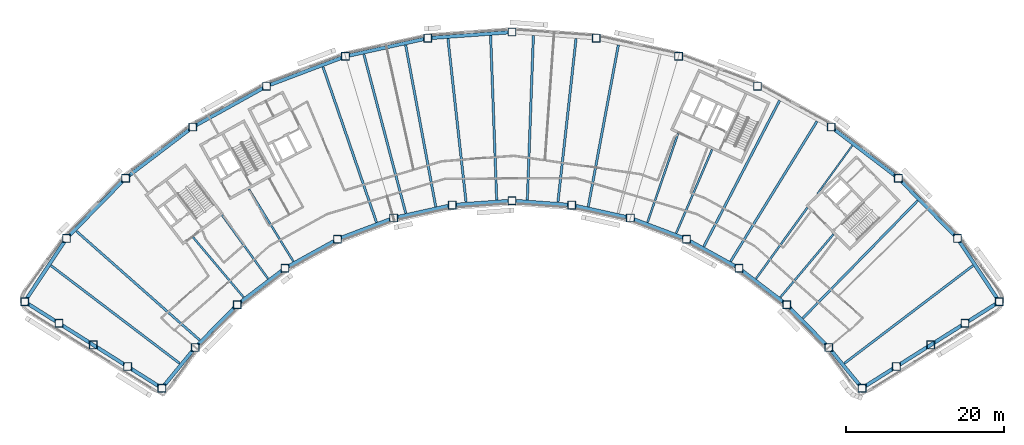
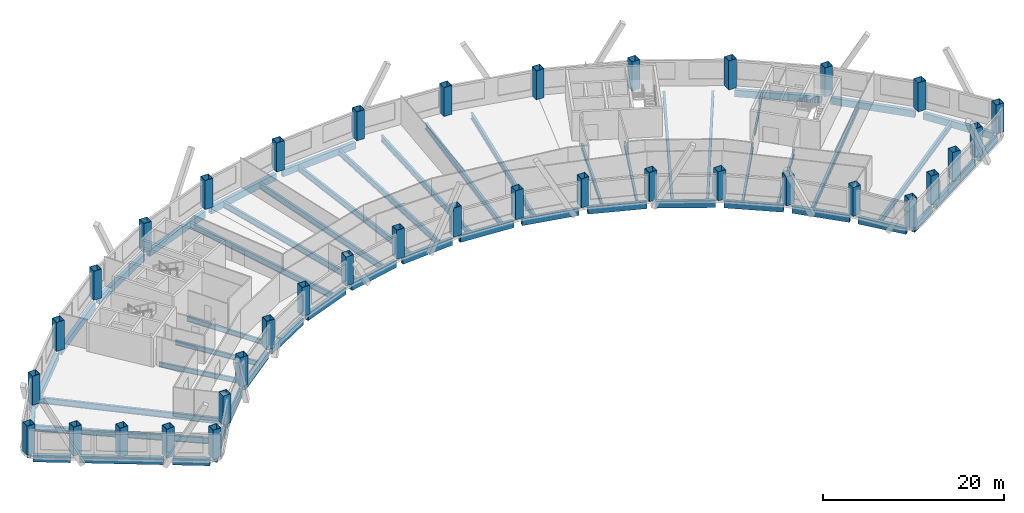
# One storey, part 1 of 11: 52 beams, 36 columns.
"""IFC4 building model written with IfcOpenShell, lengths in metres."""

import ifcopenshell
import ifcopenshell.guid

model = None  # the IFC model being written
_history = None  # IfcOwnerHistory: only IFC2X3 demands one
_inside = {}  # id of a spatial element -> (the spatial element, [elements in it])
_under = {}  # id of a project, library or spatial element -> (it, [spatial elements below it])
_declared = {}  # id of a project -> (the project, [libraries it declares])
_typed = {}  # id of a type object -> (the type object, [elements of that type])
_made_of = {}  # id of a material, layer set ... -> (it, [elements and type objects made of it])


def new_model(schema):
    """Start an empty IFC model of exactly this schema.

    Asked for "IFC4X3", IfcOpenShell would pick the latest addendum, in which some entities
    have other attributes; the version numbers below select the first issue.
    IFC2X3 requires an IfcOwnerHistory on every rooted entity: one is made here for all.
    """
    global model, _history
    if schema == "IFC4X3":
        model = ifcopenshell.file(schema_version=(4, 3, 0, 0))
    else:
        model = ifcopenshell.file(schema=schema)
    _inside.clear()
    _under.clear()
    _declared.clear()
    _typed.clear()
    _made_of.clear()
    _history = None
    if model.schema == "IFC2X3":
        org = make("IfcOrganization", Name="unknown")
        user = make(
            "IfcPersonAndOrganization",
            ThePerson=make("IfcPerson", FamilyName="unknown"),
            TheOrganization=org,
        )
        app = make(
            "IfcApplication",
            ApplicationDeveloper=org,
            Version="unknown",
            ApplicationFullName="unknown",
            ApplicationIdentifier="unknown",
        )
        _history = make(
            "IfcOwnerHistory",
            OwningUser=user,
            OwningApplication=app,
            ChangeAction="ADDED",
            CreationDate=0,
        )
    return model


def make(cls, **values):
    """One entity of the class cls with the attributes given. An attribute that is None is left unset."""
    return model.create_entity(
        cls, **{name: value for name, value in values.items() if value is not None}
    )


def rooted(cls, **values):
    """An entity with a GlobalId (a new one), such as an element, a storey or a relation."""
    return make(cls, GlobalId=ifcopenshell.guid.new(), OwnerHistory=_history, **values)


def si_unit(unit_type, name, prefix=None):
    """IfcSIUnit, for example si_unit("LENGTHUNIT", "METRE", prefix="MILLI")."""
    return make("IfcSIUnit", UnitType=unit_type, Prefix=prefix, Name=name)


def assignment(units):
    """IfcUnitAssignment: the units of a project."""
    return None if units is None else make("IfcUnitAssignment", Units=units)


def point(xyz):
    """IfcCartesianPoint."""
    return None if xyz is None else make("IfcCartesianPoint", Coordinates=xyz)


def direction(xyz):
    """IfcDirection."""
    return None if xyz is None else make("IfcDirection", DirectionRatios=xyz)


def frame(location, z_axis=None, x_axis=None):
    """IfcAxis2Placement3D, a coordinate frame: its origin and axes. An axis left out is left unset."""
    return make(
        "IfcAxis2Placement3D",
        Location=point(location),
        Axis=direction(z_axis),
        RefDirection=direction(x_axis),
    )


def frame_2d(location, x_axis=None):
    """IfcAxis2Placement2D, a coordinate frame in the plane: its origin and x axis."""
    return make(
        "IfcAxis2Placement2D", Location=point(location), RefDirection=direction(x_axis)
    )


def origin():
    """The frame at (0, 0, 0) with its axes left unset."""
    return frame((0.0, 0.0, 0.0))


def origin_2d():
    """The frame at (0, 0) in the plane with its x axis left unset."""
    return frame_2d((0.0, 0.0))


def place(relative_to, where):
    """IfcLocalPlacement: puts the frame where relative to a parent placement (None: the world)."""
    return make(
        "IfcLocalPlacement", PlacementRelTo=relative_to, RelativePlacement=where
    )


def context(
    kind, dimensions, precision=None, world=None, true_north=None, identifier=None
):
    """IfcGeometricRepresentationContext, for example the 3D "Model" context."""
    return make(
        "IfcGeometricRepresentationContext",
        ContextIdentifier=identifier,
        ContextType=kind,
        CoordinateSpaceDimension=dimensions,
        Precision=precision,
        WorldCoordinateSystem=world,
        TrueNorth=true_north,
    )


def subcontext(parent, identifier, kind, view, scale=None):
    """IfcGeometricRepresentationSubContext, for example "Body" below "Model"."""
    return make(
        "IfcGeometricRepresentationSubContext",
        ContextIdentifier=identifier,
        ContextType=kind,
        ParentContext=parent,
        TargetScale=scale,
        TargetView=view,
    )


def project(units=None, contexts=None):
    """IfcProject with its units and contexts."""
    return rooted(
        "IfcProject",
        Name="project",
        RepresentationContexts=contexts,
        UnitsInContext=assignment(units),
    )


def spatial(cls, under=None, at=None, **own):
    """A site, building, storey or space (cls), placed at a placement, below another one or the project."""
    s = rooted(cls, ObjectPlacement=at, **own)
    if under is not None:
        _under.setdefault(under.id(), (under, []))[1].append(s)
    return s


def profile(cls, at=None, kind="AREA", **sizes):
    """A parametric profile (cls). Its sizes go by their IFC names, for example OverallWidth=200.0."""
    return make(cls, ProfileType=kind, Position=at, **sizes)


def hollow_rectangle(**sizes):
    """IfcRectangleHollowProfileDef."""
    return profile("IfcRectangleHollowProfileDef", **sizes)


def i_section(**sizes):
    """IfcIShapeProfileDef."""
    return profile("IfcIShapeProfileDef", **sizes)


def extrude(swept, where, along, depth):
    """IfcExtrudedAreaSolid: the profile swept, set in the frame where, extruded along a direction by depth."""
    return make(
        "IfcExtrudedAreaSolid",
        SweptArea=swept,
        Position=where,
        ExtrudedDirection=direction(along),
        Depth=depth,
    )


def shape(context_of_items, identifier, shape_type, items):
    """IfcShapeRepresentation: the items that make up one representation, for example the "Body"."""
    return make(
        "IfcShapeRepresentation",
        ContextOfItems=context_of_items,
        RepresentationIdentifier=identifier,
        RepresentationType=shape_type,
        Items=items,
    )


def material(Name=None, Category=None):
    """IfcMaterial."""
    return make("IfcMaterial", Name=Name, Category=Category)


def material_profile(
    of_material, cross_section, Name=None, Category=None, Priority=None
):
    """IfcMaterialProfile: a cross section and its material."""
    return make(
        "IfcMaterialProfile",
        Name=Name,
        Material=of_material,
        Profile=cross_section,
        Priority=Priority,
        Category=Category,
    )


def profile_set(profiles, Name=None, composite=None):
    """IfcMaterialProfileSet."""
    return make(
        "IfcMaterialProfileSet",
        Name=Name,
        MaterialProfiles=profiles,
        CompositeProfile=composite,
    )


def made_of(thing, what):
    """Note that an element or type object is made of a material, layer set ...; save() writes the relation."""
    if what is not None:
        _made_of.setdefault(what.id(), (what, []))[1].append(thing)
    return thing


def type_object(cls, material=None, **own):
    """A type object (cls), such as IfcWallType, which elements share."""
    return made_of(rooted(cls, **own), material)


def element(
    cls,
    number,
    at=None,
    inside=None,
    cuts=None,
    type_object=None,
    material=None,
    context=None,
    identifier="Body",
    shape_type=None,
    held_by="IfcProductDefinitionShape",
    body=None,
    shapes=None,
    **own,
):
    """One element of the class cls, such as IfcWall. Its Tag is "e" and its number.

    at: its placement. inside: the storey or other place that contains it. cuts: it is an
    opening in that element (IfcRelVoidsElement). A single representation is given by context,
    identifier, shape_type and body (its items); several are given by shapes. held_by: the class
    of the entity that holds the representations. save() writes the other relations.
    """
    e = rooted(cls, Tag="e%d" % number, ObjectPlacement=at, **own)
    if body is not None:
        shapes = [shape(context, identifier, shape_type, body)]
    if shapes is not None:
        e.Representation = make(held_by, Representations=shapes)
    if inside is not None:
        _inside.setdefault(inside.id(), (inside, []))[1].append(e)
    if cuts is not None:
        rooted(
            "IfcRelVoidsElement", RelatingBuildingElement=cuts, RelatedOpeningElement=e
        )
    if type_object is not None:
        _typed.setdefault(type_object.id(), (type_object, []))[1].append(e)
    return made_of(e, material)


def aggregate(whole, parts):
    """IfcRelAggregates: a whole, such as a stair, and the parts it consists of."""
    return rooted("IfcRelAggregates", RelatingObject=whole, RelatedObjects=parts)


def save(model, path):
    """Write the relations noted so far, then the file.

    IfcRelAggregates (storeys below a building ...), IfcRelContainedInSpatialStructure (elements
    in a storey), IfcRelDefinesByType, IfcRelAssociatesMaterial and IfcRelDeclares: one each for
    every whole, place, type object, material and project.
    """
    for whole, parts in _under.values():
        aggregate(whole, parts)
    for where, things in _inside.values():
        rooted(
            "IfcRelContainedInSpatialStructure",
            RelatedElements=things,
            RelatingStructure=where,
        )
    for kind, things in _typed.values():
        rooted("IfcRelDefinesByType", RelatedObjects=things, RelatingType=kind)
    for what, things in _made_of.values():
        rooted("IfcRelAssociatesMaterial", RelatedObjects=things, RelatingMaterial=what)
    for by, libraries in _declared.values():
        rooted("IfcRelDeclares", RelatingContext=by, RelatedDefinitions=libraries)
    model.write(path)


model = new_model("IFC4")

# Units and contexts
model_context = context("Model", 3, precision=1e-05, world=origin(), true_north=direction((0.0, 1.0)))
body_context = subcontext(model_context, "Body", "Model", "MODEL_VIEW")
ifc_project = project(units=[si_unit("LENGTHUNIT", "METRE"), si_unit("AREAUNIT", "SQUARE_METRE"), si_unit("VOLUMEUNIT", "CUBIC_METRE"), si_unit("PLANEANGLEUNIT", "RADIAN"), si_unit("MASSUNIT", "GRAM", prefix="KILO")], contexts=[model_context])

# Site, building, storey
site_placement = place(None, origin())
site = spatial("IfcSite", under=ifc_project, at=site_placement, CompositionType="ELEMENT")
building_placement = place(site_placement, origin())
building = spatial("IfcBuilding", under=site, at=building_placement, Name="Tuul Gate Civic Tower", CompositionType="ELEMENT")
storey_placement = place(building_placement, frame((0.0, 0.0, 146.60009765625)))
storey = spatial("IfcBuildingStorey", under=building, at=storey_placement, Name="Level 33", CompositionType="ELEMENT", Elevation=146.60009765625)

# Columns
ifc_material_1 = material(Name="Steel S355", Category="steel")
ifc_material_profile_1 = material_profile(ifc_material_1, hollow_rectangle(XDim=1.0, YDim=1.0, WallThickness=0.0400390625, at=origin_2d()), Name="BOX1000x1000x40")
ifc_profile_set_1 = profile_set([ifc_material_profile_1], Name="Steel S355")
column_type = type_object("IfcColumnType", Name="STR-COLUMN-BOX1000x1000x40", PredefinedType="COLUMN", material=ifc_profile_set_1)
for number, where, z_axis, x_axis, name in (
    (1, (67.044921875, -24.89697265625, 0.0), (0.0, 0.0, 1.0), (1.0, 0.0, 0.0), "Column"),
    (2, (61.74609375, -16.884033203125, 0.0), (0.0, 0.0, 1.0), (1.0, 0.0, 0.0), "Column"),
    (3, (54.27197265625, -9.259033203125, 0.0), (0.0, 0.0, 1.0), (1.0, 0.0, 0.0), "Column"),
    (4, (45.77587890625, -2.791015625, 0.0), (0.0, 0.0, 1.0), (1.0, 0.0, 0.0), "Column"),
    (5, (36.43798828125, 2.385009765625, 0.0), (0.0, 0.0, 1.0), (1.0, 0.0, 0.0), "Column"),
    (6, (26.450927734375, 6.162109375, 0.0), (0.0, 0.0, 1.0), (1.0, 0.0, 0.0), "Column"),
    (7, (16.02294921875, 8.4599609375, 0.0), (0.0, 0.0, 1.0), (1.0, 0.0, 0.0), "Column"),
    (8, (5.3740234375, 9.23193359375, 0.0), (0.0, 0.0, 1.0), (1.0, 0.0, 0.0), "Column"),
    (9, (-5.27490234375, 8.4599609375, 0.0), (0.0, 0.0, 1.0), (1.0, 0.0, 0.0), "Column"),
    (10, (-15.702880859375, 6.162109375, 0.0), (0.0, 0.0, 1.0), (1.0, 0.0, 0.0), "Column"),
    (11, (-25.68994140625, 2.385009765625, 0.0), (0.0, 0.0, 1.0), (1.0, 0.0, 0.0), "Column"),
    (12, (-35.028076171875, -2.791015625, 0.0), (0.0, 0.0, 1.0), (1.0, 0.0, 0.0), "Column"),
    (13, (-43.52392578125, -9.259033203125, 0.0), (0.0, 0.0, 1.0), (1.0, 0.0, 0.0), "Column"),
    (14, (-50.998046875, -16.884033203125, 0.0), (0.0, 0.0, 1.0), (1.0, 0.0, 0.0), "Column"),
    (15, (-56.297119140625, -24.89697265625, 0.0), (0.0, 0.0, 1.0), (1.0, 0.0, 0.0), "Column"),
    (16, (-51.9541015625, -27.631103515625, 0.0), (0.0, 0.0, 1.0), (1.0, 0.0, 0.0), "Column"),
    (17, (-47.612060546875, -30.365966796875, 0.0), (0.0, 0.0, 1.0), (1.0, 0.0, 0.0), "Column"),
    (18, (-43.26904296875, -33.10009765625, 0.0), (0.0, 0.0, 1.0), (1.0, 0.0, 0.0), "Column"),
    (19, (-38.927001953125, -35.8349609375, 0.0), (0.0, 0.0, 1.0), (1.0, 0.0, 0.0), "Column"),
    (20, (-34.70703125, -30.693115234375, 0.0), (0.0, 0.0, 1.0), (1.0, 0.0, 0.0), "Column"),
    (21, (-29.39306640625, -25.27099609375, 0.0), (0.0, 0.0, 1.0), (1.0, 0.0, 0.0), "Column"),
    (22, (-23.35302734375, -20.672119140625, 0.0), (0.0, 0.0, 1.0), (1.0, 0.0, 0.0), "Column"),
    (23, (-16.712890625, -16.991943359375, 0.0), (0.0, 0.0, 1.0), (1.0, 0.0, 0.0), "Column"),
    (24, (-9.612060546875, -14.306884765625, 0.0), (0.0, 0.0, 1.0), (1.0, 0.0, 0.0), "Column"),
    (25, (-2.197998046875, -12.673095703125, 0.0), (0.0, 0.0, 1.0), (1.0, 0.0, 0.0), "Column"),
    (26, (5.3740234375, -12.1240234375, 0.0), (0.0, 0.0, 1.0), (1.0, 0.0, 0.0), "Column"),
    (27, (12.946044921875, -12.673095703125, 0.0), (0.0, 0.0, 1.0), (1.0, 0.0, 0.0), "Column"),
    (28, (20.360107421875, -14.306884765625, 0.0), (0.0, 0.0, 1.0), (1.0, 0.0, 0.0), "Column"),
    (29, (27.4609375, -16.991943359375, 0.0), (0.0, 0.0, 1.0), (1.0, 0.0, 0.0), "Column"),
    (30, (34.10107421875, -20.672119140625, 0.0), (0.0, 0.0, 1.0), (1.0, 0.0, 0.0), "Column"),
    (31, (40.14111328125, -25.27099609375, 0.0), (0.0, 0.0, 1.0), (1.0, 0.0, 0.0), "Column"),
    (32, (45.455078125, -30.693115234375, 0.0), (0.0, 0.0, 1.0), (1.0, 0.0, 0.0), "Column"),
    (33, (49.675048828125, -35.8349609375, 0.0), (0.0, 0.0, 1.0), (1.0, 0.0, 0.0), "Column"),
    (34, (54.01708984375, -33.10009765625, 0.0), (0.0, 0.0, 1.0), (1.0, 0.0, 0.0), "Column"),
    (35, (58.360107421875, -30.365966796875, 0.0), (0.0, 0.0, 1.0), (1.0, 0.0, 0.0), "Column"),
    (36, (62.701904296875, -27.631103515625, 0.0), (0.0, 0.0, 1.0), (1.0, 0.0, 0.0), "Column"),
):
    element("IfcColumn", number, at=place(storey_placement, frame(where, z_axis=z_axis, x_axis=x_axis)), inside=storey, type_object=column_type, Name=name, PredefinedType="COLUMN", context=body_context, shape_type="SweptSolid", body=[
        extrude(hollow_rectangle(XDim=1.0, YDim=1.0, WallThickness=0.0400390625, at=origin_2d()), origin(), (0.0, 0.0, 1.0), 3.89990234375),
    ])

# Beams
ifc_material_2 = material(Name="Steel S355", Category="steel")
ifc_material_profile_2 = material_profile(ifc_material_2, i_section(OverallWidth=0.199951171875, OverallDepth=0.5, WebThickness=0.010009765625, FlangeThickness=0.01611328125, at=origin_2d()), Name="PG500x200x10x16")
ifc_profile_set_2 = profile_set([ifc_material_profile_2], Name="Steel S355")
beam_type_1 = type_object("IfcBeamType", Name="STR-FLOOR BEAM-PG500x200x10x16", PredefinedType="BEAM", material=ifc_profile_set_2)
beam_1_placement = place(storey_placement, frame((43.999267578125, -11.26806640625, -0.550048828125), z_axis=(0.586082415156, 0.810251444087, 0.0), x_axis=(-0.810251444087, 0.586082415156, 0.0)))
element("IfcBeam", 37, at=beam_1_placement, inside=storey, type_object=beam_type_1, Name="Floor beam", PredefinedType="BEAM", context=body_context, shape_type="SweptSolid", body=[
    extrude(i_section(OverallWidth=0.199951171875, OverallDepth=0.5, WebThickness=0.010009765625, FlangeThickness=0.01611328125, at=origin_2d()), origin(), (0.0, 0.0, 1.0), 7.573486328125),
])
ifc_material_3 = material(Name="Steel S355", Category="steel")
ifc_material_profile_3 = material_profile(ifc_material_3, i_section(OverallWidth=0.25, OverallDepth=0.64990234375, WebThickness=0.011962890625, FlangeThickness=0.02001953125, at=origin_2d()), Name="PG650x250x12x20")
ifc_profile_set_3 = profile_set([ifc_material_profile_3], Name="Steel S355")
beam_type_2 = type_object("IfcBeamType", Name="STR-FLOOR BEAM-PG650x250x12x20", PredefinedType="BEAM", material=ifc_profile_set_3)
beam_2_placement = place(storey_placement, frame((39.332275390625, -24.341064453125, -0.625), z_axis=(0.644139340378, 0.764908171075, 0.0), x_axis=(-0.764908171075, 0.644139340378, 0.0)))
element("IfcBeam", 38, at=beam_2_placement, inside=storey, type_object=beam_type_2, Name="Floor beam", PredefinedType="BEAM", context=body_context, shape_type="SweptSolid", body=[
    extrude(i_section(OverallWidth=0.25, OverallDepth=0.64990234375, WebThickness=0.011962890625, FlangeThickness=0.02001953125, at=origin_2d()), origin(), (0.0, 0.0, 1.0), 10.45751953125),
])
beam_3_placement = place(storey_placement, frame((36.244140625, -21.989501953125, -0.625), z_axis=(0.586079949971, 0.810253227234, 0.0), x_axis=(-0.810253227234, 0.586079949971, 0.0)))
element("IfcBeam", 39, at=beam_3_placement, inside=storey, type_object=beam_type_2, Name="Floor beam", PredefinedType="BEAM", context=body_context, shape_type="SweptSolid", body=[
    extrude(i_section(OverallWidth=0.25, OverallDepth=0.64990234375, WebThickness=0.011962890625, FlangeThickness=0.02001953125, at=origin_2d()), origin(), (0.0, 0.0, 1.0), 11.128173828125),
])
beam_4_placement = place(storey_placement, frame((26.150634765625, -16.229248046875, -0.625), z_axis=(0.394192627131, 0.919027841099, 0.0), x_axis=(-0.919027841099, 0.394192627131, 0.0)))
element("IfcBeam", 40, at=beam_4_placement, inside=storey, type_object=beam_type_2, Name="Floor beam", PredefinedType="BEAM", context=body_context, shape_type="SweptSolid", body=[
    extrude(i_section(OverallWidth=0.25, OverallDepth=0.64990234375, WebThickness=0.011962890625, FlangeThickness=0.02001953125, at=origin_2d()), origin(), (0.0, 0.0, 1.0), 11.533935546875),
])
beam_5_placement = place(storey_placement, frame((22.520263671875, -14.8564453125, -0.625), z_axis=(0.32548222654, 0.945548158587, 0.0), x_axis=(-0.945548158587, 0.32548222654, 0.0)))
element("IfcBeam", 41, at=beam_5_placement, inside=storey, type_object=beam_type_2, Name="Floor beam", PredefinedType="BEAM", context=body_context, shape_type="SweptSolid", body=[
    extrude(i_section(OverallWidth=0.25, OverallDepth=0.64990234375, WebThickness=0.011962890625, FlangeThickness=0.02001953125, at=origin_2d()), origin(), (0.0, 0.0, 1.0), 11.883544921875),
])
beam_6_placement = place(storey_placement, frame((-22.29248046875, -19.79833984375, -0.625), z_axis=(-0.524846383073, 0.851196965558, 0.0), x_axis=(-0.851196965558, -0.524846383073, 0.0)))
element("IfcBeam", 42, at=beam_6_placement, inside=storey, type_object=beam_type_2, Name="Floor beam", PredefinedType="BEAM", context=body_context, shape_type="SweptSolid", body=[
    extrude(i_section(OverallWidth=0.25, OverallDepth=0.64990234375, WebThickness=0.011962890625, FlangeThickness=0.02001953125, at=origin_2d()), origin(), (0.0, 0.0, 1.0), 10.7275390625),
])
beam_7_placement = place(storey_placement, frame((-25.49609375, -21.989501953125, -0.625), z_axis=(-0.586076139419, 0.810255983504, 0.0), x_axis=(-0.810255983504, -0.586076139419, 0.0)))
element("IfcBeam", 43, at=beam_7_placement, inside=storey, type_object=beam_type_2, Name="Floor beam", PredefinedType="BEAM", context=body_context, shape_type="SweptSolid", body=[
    extrude(i_section(OverallWidth=0.25, OverallDepth=0.64990234375, WebThickness=0.011962890625, FlangeThickness=0.02001953125, at=origin_2d()), origin(), (0.0, 0.0, 1.0), 9.922119140625),
])
beam_8_placement = place(storey_placement, frame((-28.584228515625, -24.341064453125, -0.625), z_axis=(-0.644136502782, 0.764910560644, 0.0), x_axis=(-0.764910560644, -0.644136502782, 0.0)))
element("IfcBeam", 44, at=beam_8_placement, inside=storey, type_object=beam_type_2, Name="Floor beam", PredefinedType="BEAM", context=body_context, shape_type="SweptSolid", body=[
    extrude(i_section(OverallWidth=0.25, OverallDepth=0.64990234375, WebThickness=0.011962890625, FlangeThickness=0.02001953125, at=origin_2d()), origin(), (0.0, 0.0, 1.0), 9.931396484375),
])
ifc_material_4 = material(Name="Steel S355", Category="steel")
ifc_material_profile_4 = material_profile(ifc_material_4, i_section(OverallWidth=0.300048828125, OverallDepth=0.800048828125, WebThickness=0.013916015625, FlangeThickness=0.02490234375, at=origin_2d()), Name="PG800x300x14x25")
ifc_profile_set_4 = profile_set([ifc_material_profile_4], Name="Steel S355")
beam_type_3 = type_object("IfcBeamType", Name="STR-FLOOR BEAM-PG800x300x14x25", PredefinedType="BEAM", material=ifc_profile_set_4)
beam_9_placement = place(storey_placement, frame((47.4287109375, -32.703857421875, -0.7001953125), z_axis=(0.796150928405, 0.60509809056, 0.0), x_axis=(-0.60509809056, 0.796150928405, 0.0)))
element("IfcBeam", 45, at=beam_9_placement, inside=storey, type_object=beam_type_3, Name="Floor beam", PredefinedType="BEAM", context=body_context, shape_type="SweptSolid", body=[
    extrude(i_section(OverallWidth=0.300048828125, OverallDepth=0.800048828125, WebThickness=0.013916015625, FlangeThickness=0.02490234375, at=origin_2d()), origin(), (0.0, 0.0, 1.0), 20.462646484375),
])
beam_10_placement = place(storey_placement, frame((42.172607421875, -26.986572265625, -0.7001953125), z_axis=(0.698684495675, 0.715429923544, 0.0), x_axis=(-0.715429923544, 0.698684495675, 0.0)))
element("IfcBeam", 46, at=beam_10_placement, inside=storey, type_object=beam_type_3, Name="Floor beam", PredefinedType="BEAM", context=body_context, shape_type="SweptSolid", body=[
    extrude(i_section(OverallWidth=0.300048828125, OverallDepth=0.800048828125, WebThickness=0.013916015625, FlangeThickness=0.02490234375, at=origin_2d()), origin(), (0.0, 0.0, 1.0), 20.804931640625),
])
beam_11_placement = place(storey_placement, frame((33.040283203125, -19.79833984375, -0.7001953125), z_axis=(0.524860669537, 0.851188156387, 0.0), x_axis=(-0.851188156387, 0.524860669537, 0.0)))
element("IfcBeam", 47, at=beam_11_placement, inside=storey, type_object=beam_type_3, Name="Floor beam", PredefinedType="BEAM", context=body_context, shape_type="SweptSolid", body=[
    extrude(i_section(OverallWidth=0.300048828125, OverallDepth=0.800048828125, WebThickness=0.013916015625, FlangeThickness=0.02490234375, at=origin_2d()), origin(), (0.0, 0.0, 1.0), 20.821533203125),
])
beam_12_placement = place(storey_placement, frame((29.6455078125, -17.916748046875, -0.7001953125), z_axis=(0.460777413818, 0.887515732207, 0.0), x_axis=(-0.887515732207, 0.460777413818, 0.0)))
element("IfcBeam", 48, at=beam_12_placement, inside=storey, type_object=beam_type_3, Name="Floor beam", PredefinedType="BEAM", context=body_context, shape_type="SweptSolid", body=[
    extrude(i_section(OverallWidth=0.300048828125, OverallDepth=0.800048828125, WebThickness=0.013916015625, FlangeThickness=0.02490234375, at=origin_2d()), origin(), (0.0, 0.0, 1.0), 20.80712890625),
])
beam_13_placement = place(storey_placement, frame((15.0224609375, -12.874755859375, -0.7001953125), z_axis=(0.183147342328, 0.98308547492, 0.0), x_axis=(-0.98308547492, 0.183147342328, 0.0)))
element("IfcBeam", 49, at=beam_13_placement, inside=storey, type_object=beam_type_3, Name="Floor beam", PredefinedType="BEAM", context=body_context, shape_type="SweptSolid", body=[
    extrude(i_section(OverallWidth=0.300048828125, OverallDepth=0.800048828125, WebThickness=0.013916015625, FlangeThickness=0.02490234375, at=origin_2d()), origin(), (0.0, 0.0, 1.0), 20.811279296875),
])
beam_14_placement = place(storey_placement, frame((11.185302734375, -12.294677734375, -0.7001953125), z_axis=(0.110287344613, 0.993899744249, 0.0), x_axis=(-0.993899744249, 0.110287344613, 0.0)))
element("IfcBeam", 50, at=beam_14_placement, inside=storey, type_object=beam_type_3, Name="Floor beam", PredefinedType="BEAM", context=body_context, shape_type="SweptSolid", body=[
    extrude(i_section(OverallWidth=0.300048828125, OverallDepth=0.800048828125, WebThickness=0.013916015625, FlangeThickness=0.02490234375, at=origin_2d()), origin(), (0.0, 0.0, 1.0), 20.815185546875),
])
for number, where, z_axis, x_axis, name in (
    (51, (7.314453125, -12.013916015625, -0.7001953125), (0.036820764609, 0.999321885727, 0.0), (-0.999321885727, 0.036820764609, 0.0), "Floor beam"),
    (52, (3.43359375, -12.013916015625, -0.7001953125), (-0.036832478792, 0.999321454041, 0.0), (-0.999321454041, -0.036832478792, 0.0), "Floor beam"),
):
    element("IfcBeam", number, at=place(storey_placement, frame(where, z_axis=z_axis, x_axis=x_axis)), inside=storey, type_object=beam_type_3, Name=name, PredefinedType="BEAM", context=body_context, shape_type="SweptSolid", body=[
        extrude(i_section(OverallWidth=0.300048828125, OverallDepth=0.800048828125, WebThickness=0.013916015625, FlangeThickness=0.02490234375, at=origin_2d()), origin(), (0.0, 0.0, 1.0), 20.813232421875),
    ])
beam_15_placement = place(storey_placement, frame((-0.437255859375, -12.294677734375, -0.7001953125), z_axis=(-0.110287344613, 0.993899744249, 0.0), x_axis=(-0.993899744249, -0.110287344613, 0.0)))
element("IfcBeam", 53, at=beam_15_placement, inside=storey, type_object=beam_type_3, Name="Floor beam", PredefinedType="BEAM", context=body_context, shape_type="SweptSolid", body=[
    extrude(i_section(OverallWidth=0.300048828125, OverallDepth=0.800048828125, WebThickness=0.013916015625, FlangeThickness=0.02490234375, at=origin_2d()), origin(), (0.0, 0.0, 1.0), 20.815185546875),
])
beam_16_placement = place(storey_placement, frame((-4.2744140625, -12.874755859375, -0.7001953125), z_axis=(-0.183147342328, 0.98308547492, 0.0), x_axis=(-0.98308547492, -0.183147342328, 0.0)))
element("IfcBeam", 54, at=beam_16_placement, inside=storey, type_object=beam_type_3, Name="Floor beam", PredefinedType="BEAM", context=body_context, shape_type="SweptSolid", body=[
    extrude(i_section(OverallWidth=0.300048828125, OverallDepth=0.800048828125, WebThickness=0.013916015625, FlangeThickness=0.02490234375, at=origin_2d()), origin(), (0.0, 0.0, 1.0), 20.811279296875),
])
beam_17_placement = place(storey_placement, frame((-8.064697265625, -13.7099609375, -0.7001953125), z_axis=(-0.255004720301, 0.96693980817, 0.0), x_axis=(-0.96693980817, -0.255004720301, 0.0)))
element("IfcBeam", 55, at=beam_17_placement, inside=storey, type_object=beam_type_3, Name="Floor beam", PredefinedType="BEAM", context=body_context, shape_type="SweptSolid", body=[
    extrude(i_section(OverallWidth=0.300048828125, OverallDepth=0.800048828125, WebThickness=0.013916015625, FlangeThickness=0.02490234375, at=origin_2d()), origin(), (0.0, 0.0, 1.0), 20.817626953125),
])
beam_18_placement = place(storey_placement, frame((-11.772216796875, -14.8564453125, -0.7001953125), z_axis=(-0.325486974479, 0.945546524209, 0.0), x_axis=(-0.945546524209, -0.325486974479, 0.0)))
element("IfcBeam", 56, at=beam_18_placement, inside=storey, type_object=beam_type_3, Name="Floor beam", PredefinedType="BEAM", context=body_context, shape_type="SweptSolid", body=[
    extrude(i_section(OverallWidth=0.300048828125, OverallDepth=0.800048828125, WebThickness=0.013916015625, FlangeThickness=0.02490234375, at=origin_2d()), origin(), (0.0, 0.0, 1.0), 20.809326171875),
])
beam_19_placement = place(storey_placement, frame((-34.1416015625, -29.759033203125, -0.7001953125), z_axis=(-0.749453243269, 0.662057275584, 0.0), x_axis=(-0.662057275584, -0.749453243269, 0.0)))
element("IfcBeam", 57, at=beam_19_placement, inside=storey, type_object=beam_type_3, Name="Floor beam", PredefinedType="BEAM", context=body_context, shape_type="SweptSolid", body=[
    extrude(i_section(OverallWidth=0.300048828125, OverallDepth=0.800048828125, WebThickness=0.013916015625, FlangeThickness=0.02490234375, at=origin_2d()), origin(), (0.0, 0.0, 1.0), 20.828369140625),
])
beam_20_placement = place(storey_placement, frame((-36.6806640625, -32.703857421875, -0.7001953125), z_axis=(-0.796150928405, 0.60509809056, 0.0), x_axis=(-0.60509809056, -0.796150928405, 0.0)))
element("IfcBeam", 58, at=beam_20_placement, inside=storey, type_object=beam_type_3, Name="Floor beam", PredefinedType="BEAM", context=body_context, shape_type="SweptSolid", body=[
    extrude(i_section(OverallWidth=0.300048828125, OverallDepth=0.800048828125, WebThickness=0.013916015625, FlangeThickness=0.02490234375, at=origin_2d()), origin(), (0.0, 0.0, 1.0), 20.462646484375),
])
ifc_material_5 = material(Name="Steel S355", Category="steel")
ifc_material_profile_5 = material_profile(ifc_material_5, hollow_rectangle(XDim=0.449951171875, YDim=0.89990234375, WallThickness=0.02490234375, at=origin_2d()), Name="BOX900x450x25")
ifc_profile_set_5 = profile_set([ifc_material_profile_5], Name="Steel S355")
beam_type_4 = type_object("IfcBeamType", Name="STR-SPANDREL BEAM-BOX900x450x25", PredefinedType="BEAM", material=ifc_profile_set_5)
beam_21_placement = place(storey_placement, frame((66.769287109375, -24.47998046875, -0.75), z_axis=(-0.551606651845, 0.834104370951, 0.0), x_axis=(-0.834104370951, -0.551606651845, 0.0)))
element("IfcBeam", 59, at=beam_21_placement, inside=storey, type_object=beam_type_4, Name="Spandrel beam", PredefinedType="BEAM", context=body_context, shape_type="SweptSolid", body=[
    extrude(hollow_rectangle(XDim=0.449951171875, YDim=0.89990234375, WallThickness=0.02490234375, at=origin_2d()), origin(), (0.0, 0.0, 1.0), 8.606689453125),
])
beam_22_placement = place(storey_placement, frame((61.39599609375, -16.52685546875, -0.75), z_axis=(-0.699994726763, 0.714148011622, 0.0), x_axis=(-0.714148011622, -0.699994726763, 0.0)))
element("IfcBeam", 60, at=beam_22_placement, inside=storey, type_object=beam_type_4, Name="Spandrel beam", PredefinedType="BEAM", context=body_context, shape_type="SweptSolid", body=[
    extrude(hollow_rectangle(XDim=0.449951171875, YDim=0.89990234375, WallThickness=0.02490234375, at=origin_2d()), origin(), (0.0, 0.0, 1.0), 9.677001953125),
])
beam_23_placement = place(storey_placement, frame((53.874267578125, -8.9560546875, -0.75), z_axis=(-0.795665611116, 0.605736110273, 0.0), x_axis=(-0.605736110273, -0.795665611116, 0.0)))
element("IfcBeam", 61, at=beam_23_placement, inside=storey, type_object=beam_type_4, Name="Spandrel beam", PredefinedType="BEAM", context=body_context, shape_type="SweptSolid", body=[
    extrude(hollow_rectangle(XDim=0.449951171875, YDim=0.89990234375, WallThickness=0.02490234375, at=origin_2d()), origin(), (0.0, 0.0, 1.0), 9.677978515625),
])
beam_24_placement = place(storey_placement, frame((4.875244140625, 9.19580078125, -0.75), z_axis=(-0.997382449667, -0.072306632453, 0.0), x_axis=(0.072306632453, -0.997382449667, 0.0)))
element("IfcBeam", 62, at=beam_24_placement, inside=storey, type_object=beam_type_4, Name="Spandrel beam", PredefinedType="BEAM", context=body_context, shape_type="SweptSolid", body=[
    extrude(hollow_rectangle(XDim=0.449951171875, YDim=0.89990234375, WallThickness=0.02490234375, at=origin_2d()), origin(), (0.0, 0.0, 1.0), 9.677001953125),
])
beam_25_placement = place(storey_placement, frame((-5.76318359375, 8.352294921875, -0.75), z_axis=(-0.976569557508, -0.215201996619, 0.0), x_axis=(0.215201996619, -0.976569557508, 0.0)))
element("IfcBeam", 63, at=beam_25_placement, inside=storey, type_object=beam_type_4, Name="Spandrel beam", PredefinedType="BEAM", context=body_context, shape_type="SweptSolid", body=[
    extrude(hollow_rectangle(XDim=0.449951171875, YDim=0.89990234375, WallThickness=0.02490234375, at=origin_2d()), origin(), (0.0, 0.0, 1.0), 9.67822265625),
])
beam_26_placement = place(storey_placement, frame((-16.170654296875, 5.985107421875, -0.75), z_axis=(-0.935342665374, -0.353742983436, 0.0), x_axis=(0.353742983436, -0.935342665374, 0.0)))
element("IfcBeam", 64, at=beam_26_placement, inside=storey, type_object=beam_type_4, Name="Spandrel beam", PredefinedType="BEAM", context=body_context, shape_type="SweptSolid", body=[
    extrude(hollow_rectangle(XDim=0.449951171875, YDim=0.89990234375, WallThickness=0.02490234375, at=origin_2d()), origin(), (0.0, 0.0, 1.0), 9.677490234375),
])
beam_27_placement = place(storey_placement, frame((-26.127197265625, 2.142578125, -0.75), z_axis=(-0.874626955885, -0.484796542933, 0.0), x_axis=(0.484796542933, -0.874626955885, 0.0)))
element("IfcBeam", 65, at=beam_27_placement, inside=storey, type_object=beam_type_4, Name="Spandrel beam", PredefinedType="BEAM", context=body_context, shape_type="SweptSolid", body=[
    extrude(hollow_rectangle(XDim=0.449951171875, YDim=0.89990234375, WallThickness=0.02490234375, at=origin_2d()), origin(), (0.0, 0.0, 1.0), 9.676513671875),
])
beam_28_placement = place(storey_placement, frame((-35.42578125, -3.09375, -0.75), z_axis=(-0.795665611116, -0.605736110273, 0.0), x_axis=(0.605736110273, -0.795665611116, 0.0)))
element("IfcBeam", 66, at=beam_28_placement, inside=storey, type_object=beam_type_4, Name="Spandrel beam", PredefinedType="BEAM", context=body_context, shape_type="SweptSolid", body=[
    extrude(hollow_rectangle(XDim=0.449951171875, YDim=0.89990234375, WallThickness=0.02490234375, at=origin_2d()), origin(), (0.0, 0.0, 1.0), 9.677978515625),
])
beam_29_placement = place(storey_placement, frame((-43.8740234375, -9.615966796875, -0.75), z_axis=(-0.699994726763, -0.714148011622, 0.0), x_axis=(0.714148011622, -0.699994726763, 0.0)))
element("IfcBeam", 67, at=beam_29_placement, inside=storey, type_object=beam_type_4, Name="Spandrel beam", PredefinedType="BEAM", context=body_context, shape_type="SweptSolid", body=[
    extrude(hollow_rectangle(XDim=0.449951171875, YDim=0.89990234375, WallThickness=0.02490234375, at=origin_2d()), origin(), (0.0, 0.0, 1.0), 9.677001953125),
])
beam_30_placement = place(storey_placement, frame((-51.273681640625, -17.301025390625, -0.75), z_axis=(-0.551606651845, -0.834104370951, 0.0), x_axis=(0.834104370951, -0.551606651845, 0.0)))
element("IfcBeam", 68, at=beam_30_placement, inside=storey, type_object=beam_type_4, Name="Spandrel beam", PredefinedType="BEAM", context=body_context, shape_type="SweptSolid", body=[
    extrude(hollow_rectangle(XDim=0.449951171875, YDim=0.89990234375, WallThickness=0.02490234375, at=origin_2d()), origin(), (0.0, 0.0, 1.0), 8.606689453125),
])
beam_31_placement = place(storey_placement, frame((-55.873779296875, -25.163330078125, -0.75), z_axis=(0.846247640598, -0.532789762273, 0.0), x_axis=(0.532789762273, 0.846247640598, 0.0)))
element("IfcBeam", 69, at=beam_31_placement, inside=storey, type_object=beam_type_4, Name="Spandrel beam", PredefinedType="BEAM", context=body_context, shape_type="SweptSolid", body=[
    extrude(hollow_rectangle(XDim=0.449951171875, YDim=0.89990234375, WallThickness=0.02490234375, at=origin_2d()), origin(), (0.0, 0.0, 1.0), 4.1318359375),
])
beam_32_placement = place(storey_placement, frame((-51.531005859375, -27.8974609375, -0.75), z_axis=(0.846210833603, -0.532848219565, 0.0), x_axis=(0.532848219565, 0.846210833603, 0.0)))
element("IfcBeam", 70, at=beam_32_placement, inside=storey, type_object=beam_type_4, Name="Spandrel beam", PredefinedType="BEAM", context=body_context, shape_type="SweptSolid", body=[
    extrude(hollow_rectangle(XDim=0.449951171875, YDim=0.89990234375, WallThickness=0.02490234375, at=origin_2d()), origin(), (0.0, 0.0, 1.0), 9.263427734375),
])
beam_33_placement = place(storey_placement, frame((-42.845947265625, -33.366455078125, -0.75), z_axis=(0.846117367302, -0.532996623582, 0.0), x_axis=(0.532996623582, 0.846117367302, 0.0)))
element("IfcBeam", 71, at=beam_33_placement, inside=storey, type_object=beam_type_4, Name="Spandrel beam", PredefinedType="BEAM", context=body_context, shape_type="SweptSolid", body=[
    extrude(hollow_rectangle(XDim=0.449951171875, YDim=0.89990234375, WallThickness=0.02490234375, at=origin_2d()), origin(), (0.0, 0.0, 1.0), 4.131591796875),
])
beam_34_placement = place(storey_placement, frame((-38.60986328125, -35.448486328125, -0.75), z_axis=(0.634417883175, 0.772990264821, 0.0), x_axis=(-0.772990264821, 0.634417883175, 0.0)))
element("IfcBeam", 72, at=beam_34_placement, inside=storey, type_object=beam_type_4, Name="Spandrel beam", PredefinedType="BEAM", context=body_context, shape_type="SweptSolid", body=[
    extrude(hollow_rectangle(XDim=0.449951171875, YDim=0.89990234375, WallThickness=0.02490234375, at=origin_2d()), origin(), (0.0, 0.0, 1.0), 5.65185546875),
])
beam_35_placement = place(storey_placement, frame((-34.35693359375, -30.3359375, -0.75), z_axis=(0.699959943252, 0.714182104118, 0.0), x_axis=(-0.714182104118, 0.699959943252, 0.0)))
element("IfcBeam", 73, at=beam_35_placement, inside=storey, type_object=beam_type_4, Name="Spandrel beam", PredefinedType="BEAM", context=body_context, shape_type="SweptSolid", body=[
    extrude(hollow_rectangle(XDim=0.449951171875, YDim=0.89990234375, WallThickness=0.02490234375, at=origin_2d()), origin(), (0.0, 0.0, 1.0), 6.591796875),
])
for number, where, z_axis, x_axis, name in (
    (74, (-28.9951171875, -24.968017578125, -0.75), (0.795618733299, 0.605797681758, 0.0), (-0.605797681758, 0.795618733299, 0.0), "Spandrel beam"),
    (75, (-22.915771484375, -20.4296875, -0.75), (0.874651244821, 0.484752720399, 0.0), (-0.484752720399, 0.874651244821, 0.0), "Spandrel beam"),
):
    element("IfcBeam", number, at=place(storey_placement, frame(where, z_axis=z_axis, x_axis=x_axis)), inside=storey, type_object=beam_type_4, Name=name, PredefinedType="BEAM", context=body_context, shape_type="SweptSolid", body=[
        extrude(hollow_rectangle(XDim=0.449951171875, YDim=0.89990234375, WallThickness=0.02490234375, at=origin_2d()), origin(), (0.0, 0.0, 1.0), 6.591552734375),
    ])
beam_36_placement = place(storey_placement, frame((-16.245361328125, -16.815185546875, -0.75), z_axis=(0.935371380161, 0.353667048472, 0.0), x_axis=(-0.353667048472, 0.935371380161, 0.0)))
element("IfcBeam", 76, at=beam_36_placement, inside=storey, type_object=beam_type_4, Name="Spandrel beam", PredefinedType="BEAM", context=body_context, shape_type="SweptSolid", body=[
    extrude(hollow_rectangle(XDim=0.449951171875, YDim=0.89990234375, WallThickness=0.02490234375, at=origin_2d()), origin(), (0.0, 0.0, 1.0), 6.591796875),
])
beam_37_placement = place(storey_placement, frame((-9.123779296875, -14.199462890625, -0.75), z_axis=(0.97655858912, 0.215251764258, 0.0), x_axis=(-0.215251764258, 0.97655858912, 0.0)))
element("IfcBeam", 77, at=beam_37_placement, inside=storey, type_object=beam_type_4, Name="Spandrel beam", PredefinedType="BEAM", context=body_context, shape_type="SweptSolid", body=[
    extrude(hollow_rectangle(XDim=0.449951171875, YDim=0.89990234375, WallThickness=0.02490234375, at=origin_2d()), origin(), (0.0, 0.0, 1.0), 6.592041015625),
])
for number, where, z_axis, x_axis, name in (
    (78, (-1.69921875, -12.636962890625, -0.75), (0.997380460519, 0.072334065112, 0.0), (-0.072334065112, 0.997380460519, 0.0), "Spandrel beam"),
    (79, (5.872802734375, -12.16015625, -0.75), (0.997380460519, -0.072334065112, 0.0), (0.072334065112, 0.997380460519, 0.0), "Spandrel beam"),
):
    element("IfcBeam", number, at=place(storey_placement, frame(where, z_axis=z_axis, x_axis=x_axis)), inside=storey, type_object=beam_type_4, Name=name, PredefinedType="BEAM", context=body_context, shape_type="SweptSolid", body=[
        extrude(hollow_rectangle(XDim=0.449951171875, YDim=0.89990234375, WallThickness=0.02490234375, at=origin_2d()), origin(), (0.0, 0.0, 1.0), 6.591796875),
    ])
beam_38_placement = place(storey_placement, frame((13.434326171875, -12.780517578125, -0.75), z_axis=(0.97655858912, -0.215251764258, 0.0), x_axis=(0.215251764258, 0.97655858912, 0.0)))
element("IfcBeam", 80, at=beam_38_placement, inside=storey, type_object=beam_type_4, Name="Spandrel beam", PredefinedType="BEAM", context=body_context, shape_type="SweptSolid", body=[
    extrude(hollow_rectangle(XDim=0.449951171875, YDim=0.89990234375, WallThickness=0.02490234375, at=origin_2d()), origin(), (0.0, 0.0, 1.0), 6.592041015625),
])
beam_39_placement = place(storey_placement, frame((20.82763671875, -14.48388671875, -0.75), z_axis=(0.935371380161, -0.353667048472, 0.0), x_axis=(0.353667048472, 0.935371380161, 0.0)))
element("IfcBeam", 81, at=beam_39_placement, inside=storey, type_object=beam_type_4, Name="Spandrel beam", PredefinedType="BEAM", context=body_context, shape_type="SweptSolid", body=[
    extrude(hollow_rectangle(XDim=0.449951171875, YDim=0.89990234375, WallThickness=0.02490234375, at=origin_2d()), origin(), (0.0, 0.0, 1.0), 6.591796875),
])
beam_40_placement = place(storey_placement, frame((27.8984375, -17.234375, -0.75), z_axis=(0.874642541027, -0.484768424535, 0.0), x_axis=(0.484768424535, 0.874642541027, 0.0)))
element("IfcBeam", 82, at=beam_40_placement, inside=storey, type_object=beam_type_4, Name="Spandrel beam", PredefinedType="BEAM", context=body_context, shape_type="SweptSolid", body=[
    extrude(hollow_rectangle(XDim=0.449951171875, YDim=0.89990234375, WallThickness=0.02490234375, at=origin_2d()), origin(), (0.0, 0.0, 1.0), 6.59130859375),
])
beam_41_placement = place(storey_placement, frame((34.498779296875, -20.974853515625, -0.75), z_axis=(0.795618733299, -0.605797681758, 0.0), x_axis=(0.605797681758, 0.795618733299, 0.0)))
element("IfcBeam", 83, at=beam_41_placement, inside=storey, type_object=beam_type_4, Name="Spandrel beam", PredefinedType="BEAM", context=body_context, shape_type="SweptSolid", body=[
    extrude(hollow_rectangle(XDim=0.449951171875, YDim=0.89990234375, WallThickness=0.02490234375, at=origin_2d()), origin(), (0.0, 0.0, 1.0), 6.591552734375),
])
beam_42_placement = place(storey_placement, frame((40.490966796875, -25.628173828125, -0.75), z_axis=(0.699959943252, -0.714182104118, 0.0), x_axis=(0.714182104118, 0.699959943252, 0.0)))
element("IfcBeam", 84, at=beam_42_placement, inside=storey, type_object=beam_type_4, Name="Spandrel beam", PredefinedType="BEAM", context=body_context, shape_type="SweptSolid", body=[
    extrude(hollow_rectangle(XDim=0.449951171875, YDim=0.89990234375, WallThickness=0.02490234375, at=origin_2d()), origin(), (0.0, 0.0, 1.0), 6.591796875),
])
beam_43_placement = place(storey_placement, frame((45.772216796875, -31.07958984375, -0.75), z_axis=(0.634417883175, -0.772990264821, 0.0), x_axis=(0.772990264821, 0.634417883175, 0.0)))
element("IfcBeam", 85, at=beam_43_placement, inside=storey, type_object=beam_type_4, Name="Spandrel beam", PredefinedType="BEAM", context=body_context, shape_type="SweptSolid", body=[
    extrude(hollow_rectangle(XDim=0.449951171875, YDim=0.89990234375, WallThickness=0.02490234375, at=origin_2d()), origin(), (0.0, 0.0, 1.0), 5.65185546875),
])
beam_44_placement = place(storey_placement, frame((50.09814453125, -35.568603515625, -0.75), z_axis=(0.846117367302, 0.532996623582, 0.0), x_axis=(-0.532996623582, 0.846117367302, 0.0)))
element("IfcBeam", 86, at=beam_44_placement, inside=storey, type_object=beam_type_4, Name="Spandrel beam", PredefinedType="BEAM", context=body_context, shape_type="SweptSolid", body=[
    extrude(hollow_rectangle(XDim=0.449951171875, YDim=0.89990234375, WallThickness=0.02490234375, at=origin_2d()), origin(), (0.0, 0.0, 1.0), 4.131591796875),
])
beam_45_placement = place(storey_placement, frame((54.440185546875, -32.83349609375, -0.75), z_axis=(0.846203350411, 0.532860103361, 0.0), x_axis=(-0.532860103361, 0.846203350411, 0.0)))
element("IfcBeam", 87, at=beam_45_placement, inside=storey, type_object=beam_type_4, Name="Spandrel beam", PredefinedType="BEAM", context=body_context, shape_type="SweptSolid", body=[
    extrude(hollow_rectangle(XDim=0.449951171875, YDim=0.89990234375, WallThickness=0.02490234375, at=origin_2d()), origin(), (0.0, 0.0, 1.0), 9.26318359375),
])
beam_46_placement = place(storey_placement, frame((63.125244140625, -27.36474609375, -0.75), z_axis=(0.846247640598, 0.532789762273, 0.0), x_axis=(-0.532789762273, 0.846247640598, 0.0)))
element("IfcBeam", 88, at=beam_46_placement, inside=storey, type_object=beam_type_4, Name="Spandrel beam", PredefinedType="BEAM", context=body_context, shape_type="SweptSolid", body=[
    extrude(hollow_rectangle(XDim=0.449951171875, YDim=0.89990234375, WallThickness=0.02490234375, at=origin_2d()), origin(), (0.0, 0.0, 1.0), 4.1318359375),
])

save(model, "model.ifc")
